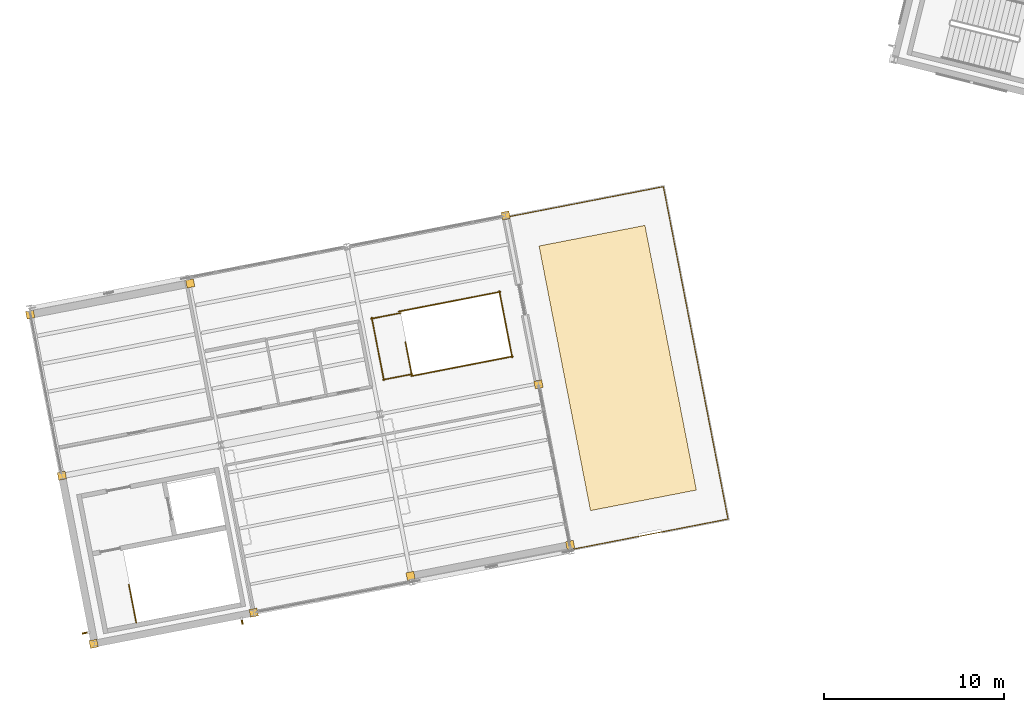
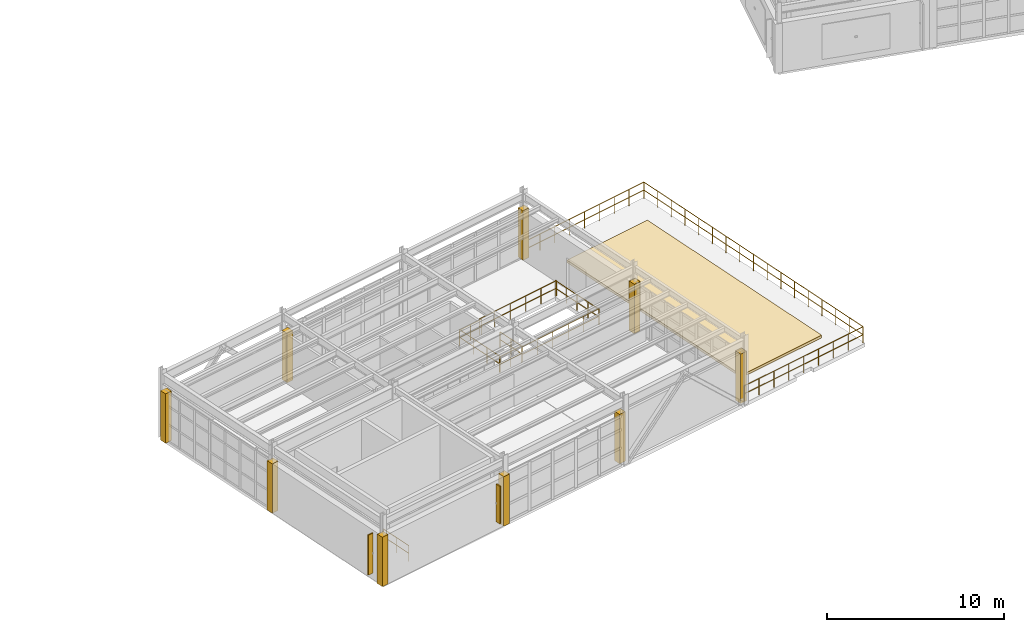
# One storey, part 96 of 102: 10 coverings, 9 railings, 2 shading devices.
"""IFC4 building model written with IfcOpenShell, lengths in metres."""

from ifc_helpers import new_model, si_unit, direction, frame, origin, origin_2d, place, context, subcontext, project, spatial, polyline, rectangle, circle, outline, extrude, material, layer, layer_set, type_object, element, save


model = new_model("IFC4")

# Units and contexts
model_context = context("Model", 3, precision=1e-05, world=origin(), true_north=direction((0.0, 1.0)))
body_context = subcontext(model_context, "Body", "Model", "MODEL_VIEW")
ifc_project = project(units=[si_unit("LENGTHUNIT", "METRE"), si_unit("AREAUNIT", "SQUARE_METRE"), si_unit("VOLUMEUNIT", "CUBIC_METRE"), si_unit("PLANEANGLEUNIT", "RADIAN"), si_unit("MASSUNIT", "GRAM", prefix="KILO")], contexts=[model_context])

# Site, building, storey
site_placement = place(None, origin())
site = spatial("IfcSite", under=ifc_project, at=site_placement, CompositionType="ELEMENT")
building_placement = place(site_placement, origin())
building = spatial("IfcBuilding", under=site, at=building_placement, Name="Vireo Bluff Cable Station", CompositionType="ELEMENT")
storey_placement = place(building_placement, frame((0.0, 0.0, 9.60009765625)))
storey = spatial("IfcBuildingStorey", under=building, at=storey_placement, Name="L02", CompositionType="ELEMENT", Elevation=9.60009765625)

# Coverings
ifc_material_1 = material(Name="Precast concrete f'c 45 MPa", Category="concrete")
ifc_layer_1 = layer(ifc_material_1, 0.0400390625, Name="Precast concrete f'c 45 MPa")
ifc_layer_set_1 = layer_set([ifc_layer_1], Name="Precast concrete f'c 45 MPa")
covering_type_1 = type_object("IfcCoveringType", Name="COL-CLOSURE-WRAP", PredefinedType="CLADDING", material=ifc_layer_set_1)
for number, where, z_axis, x_axis, name in (
    (1, (35.962158203125, 10.989990234375, 0.0), (0.0, 0.0, 1.0), (0.981627183448, 0.190808995377, 0.0), "V5 L02 column pocket closure"),
    (2, (27.083251953125, 9.26416015625, 0.0), (0.0, 0.0, 1.0), (0.981627183448, 0.190808995377, 0.0), "V5 L02 column pocket closure"),
    (3, (18.357666015625, 7.2216796875, 0.0), (0.0, 0.0, 1.0), (0.981627183448, 0.190808995377, 0.0), "V5 L02 column pocket closure"),
    (4, (9.451416015625, 5.490478515625, 0.0), (0.0, 0.0, 1.0), (0.981627183448, 0.190808995377, 0.0), "V5 L02 column pocket closure"),
    (5, (7.68408203125, 14.841552734375, 0.0), (0.0, 0.0, 1.0), (0.981627183448, 0.190808995377, 0.0), "V5 L02 column pocket closure"),
    (6, (5.91845703125, 23.81298828125, 0.0), (0.0, 0.0, 1.0), (0.981627183448, 0.190808995377, 0.0), "V5 L02 column pocket closure"),
    (7, (14.82373046875, 25.544189453125, 0.0), (0.0, 0.0, 1.0), (0.981627183448, 0.190808995377, 0.0), "V5 L02 column pocket closure"),
    (8, (32.37548828125, 29.31884765625, 0.0), (0.0, 0.0, 1.0), (0.981627183448, 0.190808995377, 0.0), "V5 L02 column pocket closure"),
    (9, (34.199951171875, 19.93212890625, 0.0), (0.0, 0.0, 1.0), (0.981627183448, 0.190808995377, 0.0), "V5 L02 column pocket closure"),
):
    element("IfcCovering", number, at=place(storey_placement, frame(where, z_axis=z_axis, x_axis=x_axis)), inside=storey, type_object=covering_type_1, Name=name, PredefinedType="CLADDING", context=body_context, shape_type="SweptSolid", body=[
        extrude(rectangle(XDim=0.43994140625, YDim=0.43994140625, at=origin_2d()), origin(), (0.0, 0.0, 1.0), 3.39990234375),
    ])

# Railing
ifc_material_2 = material(Name="Stainless Steel 316", Category="steel")
railing_type_1 = type_object("IfcRailingType", Name="EXTGUARD-1150", PredefinedType="GUARDRAIL", material=ifc_material_2)
railing_1_placement = place(storey_placement, frame((36.02783203125, 10.738037109375, 0.0)))
element("IfcRailing", 10, at=railing_1_placement, inside=storey, type_object=railing_type_1, Name="V5 L02 outdoor terrace guard 4", PredefinedType="GUARDRAIL", context=body_context, shape_type="SweptSolid", body=[
    extrude(circle(Radius=0.02392578125, at=origin_2d()), frame((0.0, 0.0, 1.1259765625), z_axis=(0.981628980254, 0.190799751378, 0.0), x_axis=(-0.190799751378, 0.981628980254, 0.0)), (0.0, 0.0, 1.0), 8.880126953125),
    extrude(circle(Radius=0.02392578125, at=origin_2d()), frame((0.0, 0.0, 0.574951171875), z_axis=(0.981628980254, 0.190799751378, 0.0), x_axis=(-0.190799751378, 0.981628980254, 0.0)), (0.0, 0.0, 1.0), 8.880126953125),
    extrude(circle(Radius=0.02392578125, at=origin_2d()), frame((8.717041015625, 1.6943359375, 1.1259765625), z_axis=(-0.190815203836, 0.981625976625, 0.0), x_axis=(-0.981625976625, -0.190815203836, 0.0)), (0.0, 0.0, 1.0), 18.840087890625),
    extrude(circle(Radius=0.02392578125, at=origin_2d()), frame((8.717041015625, 1.6943359375, 0.574951171875), z_axis=(-0.190815203836, 0.981625976625, 0.0), x_axis=(-0.981625976625, -0.190815203836, 0.0)), (0.0, 0.0, 1.0), 18.840087890625),
    extrude(circle(Radius=0.02392578125, at=origin_2d()), frame((5.1220703125, 20.188232421875, 1.1259765625), z_axis=(-0.981627979352, -0.190804900759, 0.0), x_axis=(0.190804900759, -0.981627979352, 0.0)), (0.0, 0.0, 1.0), 8.8798828125),
    extrude(circle(Radius=0.02392578125, at=origin_2d()), frame((5.1220703125, 20.188232421875, 0.574951171875), z_axis=(-0.981627979352, -0.190804900759, 0.0), x_axis=(0.190804900759, -0.981627979352, 0.0)), (0.0, 0.0, 1.0), 8.8798828125),
    extrude(circle(Radius=0.02099609375, at=origin_2d()), origin(), (0.0, 0.0, 1.0), 1.101806640625),
    extrude(circle(Radius=0.02099609375, at=origin_2d()), frame((1.089599609375, 0.2119140625, 0.0)), (0.0, 0.0, 1.0), 1.101806640625),
    extrude(circle(Radius=0.02099609375, at=origin_2d()), frame((2.17919921875, 0.423583984375, 0.0)), (0.0, 0.0, 1.0), 1.101806640625),
    extrude(circle(Radius=0.02099609375, at=origin_2d()), frame((3.268798828125, 0.63525390625, 0.0)), (0.0, 0.0, 1.0), 1.101806640625),
    extrude(circle(Radius=0.02099609375, at=origin_2d()), frame((4.3583984375, 0.84716796875, 0.0)), (0.0, 0.0, 1.0), 1.101806640625),
    extrude(circle(Radius=0.02099609375, at=origin_2d()), frame((5.4482421875, 1.05908203125, 0.0)), (0.0, 0.0, 1.0), 1.101806640625),
    extrude(circle(Radius=0.02099609375, at=origin_2d()), frame((6.537841796875, 1.270751953125, 0.0)), (0.0, 0.0, 1.0), 1.101806640625),
    extrude(circle(Radius=0.02099609375, at=origin_2d()), frame((7.62744140625, 1.482421875, 0.0)), (0.0, 0.0, 1.0), 1.101806640625),
    extrude(circle(Radius=0.02099609375, at=origin_2d()), frame((8.717041015625, 1.6943359375, 0.0)), (0.0, 0.0, 1.0), 1.101806640625),
    extrude(circle(Radius=0.02099609375, at=origin_2d()), frame((8.492431640625, 2.85009765625, 0.0)), (0.0, 0.0, 1.0), 1.101806640625),
    extrude(circle(Radius=0.02099609375, at=origin_2d()), frame((8.267578125, 4.006103515625, 0.0)), (0.0, 0.0, 1.0), 1.101806640625),
    extrude(circle(Radius=0.02099609375, at=origin_2d()), frame((8.04296875, 5.161865234375, 0.0)), (0.0, 0.0, 1.0), 1.101806640625),
    extrude(circle(Radius=0.02099609375, at=origin_2d()), frame((7.818359375, 6.31787109375, 0.0)), (0.0, 0.0, 1.0), 1.101806640625),
    extrude(circle(Radius=0.02099609375, at=origin_2d()), frame((7.593505859375, 7.4736328125, 0.0)), (0.0, 0.0, 1.0), 1.101806640625),
    extrude(circle(Radius=0.02099609375, at=origin_2d()), frame((7.368896484375, 8.629638671875, 0.0)), (0.0, 0.0, 1.0), 1.101806640625),
    extrude(circle(Radius=0.02099609375, at=origin_2d()), frame((7.144287109375, 9.785400390625, 0.0)), (0.0, 0.0, 1.0), 1.101806640625),
    extrude(circle(Radius=0.02099609375, at=origin_2d()), frame((6.91943359375, 10.94140625, 0.0)), (0.0, 0.0, 1.0), 1.101806640625),
    extrude(circle(Radius=0.02099609375, at=origin_2d()), frame((6.69482421875, 12.09716796875, 0.0)), (0.0, 0.0, 1.0), 1.101806640625),
    extrude(circle(Radius=0.02099609375, at=origin_2d()), frame((6.47021484375, 13.2529296875, 0.0)), (0.0, 0.0, 1.0), 1.101806640625),
    extrude(circle(Radius=0.02099609375, at=origin_2d()), frame((6.24560546875, 14.408935546875, 0.0)), (0.0, 0.0, 1.0), 1.101806640625),
    extrude(circle(Radius=0.02099609375, at=origin_2d()), frame((6.020751953125, 15.564697265625, 0.0)), (0.0, 0.0, 1.0), 1.101806640625),
    extrude(circle(Radius=0.02099609375, at=origin_2d()), frame((5.796142578125, 16.720703125, 0.0)), (0.0, 0.0, 1.0), 1.101806640625),
    extrude(circle(Radius=0.02099609375, at=origin_2d()), frame((5.571533203125, 17.87646484375, 0.0)), (0.0, 0.0, 1.0), 1.101806640625),
    extrude(circle(Radius=0.02099609375, at=origin_2d()), frame((5.3466796875, 19.032470703125, 0.0)), (0.0, 0.0, 1.0), 1.101806640625),
    extrude(circle(Radius=0.02099609375, at=origin_2d()), frame((5.1220703125, 20.188232421875, 0.0)), (0.0, 0.0, 1.0), 1.101806640625),
    extrude(circle(Radius=0.02099609375, at=origin_2d()), frame((4.032470703125, 19.9765625, 0.0)), (0.0, 0.0, 1.0), 1.101806640625),
    extrude(circle(Radius=0.02099609375, at=origin_2d()), frame((2.94287109375, 19.7646484375, 0.0)), (0.0, 0.0, 1.0), 1.101806640625),
    extrude(circle(Radius=0.02099609375, at=origin_2d()), frame((1.853271484375, 19.552734375, 0.0)), (0.0, 0.0, 1.0), 1.101806640625),
    extrude(circle(Radius=0.02099609375, at=origin_2d()), frame((0.763671875, 19.341064453125, 0.0)), (0.0, 0.0, 1.0), 1.101806640625),
    extrude(circle(Radius=0.02099609375, at=origin_2d()), frame((-0.325927734375, 19.12939453125, 0.0)), (0.0, 0.0, 1.0), 1.101806640625),
    extrude(circle(Radius=0.02099609375, at=origin_2d()), frame((-1.41552734375, 18.91748046875, 0.0)), (0.0, 0.0, 1.0), 1.101806640625),
    extrude(circle(Radius=0.02099609375, at=origin_2d()), frame((-2.505126953125, 18.70556640625, 0.0)), (0.0, 0.0, 1.0), 1.101806640625),
    extrude(circle(Radius=0.02099609375, at=origin_2d()), frame((-3.5947265625, 18.493896484375, 0.0)), (0.0, 0.0, 1.0), 1.101806640625),
])

# Covering
ifc_material_3 = material(Name="Vegetated Green Roof Assembly")
ifc_layer_2 = layer(ifc_material_3, 0.179931640625, Name="Vegetated Green Roof Assembly")
ifc_layer_set_2 = layer_set([ifc_layer_2], Name="Vegetated Green Roof Assembly")
covering_type_2 = type_object("IfcCoveringType", Name="ROOFING-GREEN-180", PredefinedType="ROOFING", material=ifc_layer_set_2)
covering_placement = place(storey_placement, origin())
element("IfcCovering", 11, at=covering_placement, inside=storey, type_object=covering_type_2, Name="V5 L02 vegetated green roof bed 3", PredefinedType="ROOFING", context=body_context, shape_type="SweptSolid", body=[
    extrude(outline(polyline([(37.0947265625, 12.9013671875), (42.984619140625, 14.046142578125), (40.122314453125, 28.7705078125), (34.232666015625, 27.625732421875), (37.0947265625, 12.9013671875)])), origin(), (0.0, 0.0, 1.0), 0.179931640625),
])

# Shading devices
ifc_material_4 = material(Name="Extruded Terracotta Solar Fin", Category="masonry")
shading_device_type_1 = type_object("IfcShadingDeviceType", Name="SOLARFIN-320X2600", PredefinedType="SHUTTER", material=ifc_material_4)
shading_device_1_placement = place(storey_placement, frame((17.708740234375, 6.73388671875, 0.5498046875), z_axis=(0.0, 0.0, 1.0), x_axis=(-0.981627201611, -0.190808901935, 0.0)))
element("IfcShadingDevice", 12, at=shading_device_1_placement, inside=storey, type_object=shading_device_type_1, Name="V5 L02 solar brise-soleil fin 36", PredefinedType="SHUTTER", context=body_context, shape_type="SweptSolid", body=[
    extrude(rectangle(XDim=0.080078125, YDim=0.320068359375, at=origin_2d()), origin(), (0.0, 0.0, 1.0), 2.60009765625),
])
shading_device_type_2 = type_object("IfcShadingDeviceType", Name="SOLARFIN-360X2750", PredefinedType="SHUTTER", material=ifc_material_4)
shading_device_2_placement = place(storey_placement, frame((8.99658203125, 6.098876953125, 0.474853515625), z_axis=(0.0, 0.0, 1.0), x_axis=(-0.190809021589, 0.981627178352, 0.0)))
element("IfcShadingDevice", 13, at=shading_device_2_placement, inside=storey, type_object=shading_device_type_2, Name="V5 L02 solar brise-soleil fin 37", PredefinedType="SHUTTER", context=body_context, shape_type="SweptSolid", body=[
    extrude(rectangle(XDim=0.080078125, YDim=0.360107421875, at=origin_2d()), origin(), (0.0, 0.0, 1.0), 2.75),
])

# Railings
railing_type_2 = type_object("IfcRailingType", Name="STAIR-GUARD-1100", PredefinedType="GUARDRAIL", material=ifc_material_2)
railing_2_placement = place(storey_placement, frame((11.820556640625, 6.6640625, 0.0)))
element("IfcRailing", 14, at=railing_2_placement, inside=storey, type_object=railing_type_2, Name="L02 ST-05 top well guard 1", PredefinedType="GUARDRAIL", context=body_context, shape_type="SweptSolid", body=[
    extrude(circle(Radius=0.02392578125, at=origin_2d()), frame((0.0, 0.0, 1.076171875), z_axis=(-0.190872698281, 0.981614798712, 0.0), x_axis=(-0.981614798712, -0.190872698281, 0.0)), (0.0, 0.0, 1.0), 2.150146484375),
    extrude(circle(Radius=0.02392578125, at=origin_2d()), frame((0.0, 0.0, 0.550048828125), z_axis=(-0.190872698281, 0.981614798712, 0.0), x_axis=(-0.981614798712, -0.190872698281, 0.0)), (0.0, 0.0, 1.0), 2.150146484375),
    extrude(circle(Radius=0.02099609375, at=origin_2d()), origin(), (0.0, 0.0, 1.0), 1.052001953125),
    extrude(circle(Radius=0.02099609375, at=origin_2d()), frame((-0.205078125, 1.05517578125, 0.0)), (0.0, 0.0, 1.0), 1.052001953125),
    extrude(circle(Radius=0.02099609375, at=origin_2d()), frame((-0.410400390625, 2.110595703125, 0.0)), (0.0, 0.0, 1.0), 1.052001953125),
])
railing_3_placement = place(storey_placement, frame((27.153076171875, 20.44287109375, 0.0)))
element("IfcRailing", 15, at=railing_3_placement, inside=storey, type_object=railing_type_2, Name="L02 ST-07 top well guard 1", PredefinedType="GUARDRAIL", context=body_context, shape_type="SweptSolid", body=[
    extrude(circle(Radius=0.02392578125, at=origin_2d()), frame((0.0, 0.0, 1.076171875), z_axis=(-0.190768857315, 0.981634984645, 0.0), x_axis=(-0.981634984645, -0.190768857315, 0.0)), (0.0, 0.0, 1.0), 1.8798828125),
    extrude(circle(Radius=0.02392578125, at=origin_2d()), frame((0.0, 0.0, 0.550048828125), z_axis=(-0.190768857315, 0.981634984645, 0.0), x_axis=(-0.981634984645, -0.190768857315, 0.0)), (0.0, 0.0, 1.0), 1.8798828125),
    extrude(circle(Radius=0.02099609375, at=origin_2d()), origin(), (0.0, 0.0, 1.0), 1.052001953125),
    extrude(circle(Radius=0.02099609375, at=origin_2d()), frame((-0.17919921875, 0.9228515625, 0.0)), (0.0, 0.0, 1.0), 1.052001953125),
    extrude(circle(Radius=0.02099609375, at=origin_2d()), frame((-0.358642578125, 1.845458984375, 0.0)), (0.0, 0.0, 1.0), 1.052001953125),
])
railing_4_placement = place(storey_placement, frame((27.113525390625, 20.38427734375, 0.0)))
element("IfcRailing", 16, at=railing_4_placement, inside=storey, type_object=railing_type_2, Name="L02 ST-07 top well guard 2", PredefinedType="GUARDRAIL", context=body_context, shape_type="SweptSolid", body=[
    extrude(circle(Radius=0.02392578125, at=origin_2d()), frame((0.0, 0.0, 1.076171875), z_axis=(0.981624196942, 0.190824358974, 0.0), x_axis=(-0.190824358974, 0.981624196942, 0.0)), (0.0, 0.0, 1.0), 5.77001953125),
    extrude(circle(Radius=0.02392578125, at=origin_2d()), frame((0.0, 0.0, 0.550048828125), z_axis=(0.981624196942, 0.190824358974, 0.0), x_axis=(-0.190824358974, 0.981624196942, 0.0)), (0.0, 0.0, 1.0), 5.77001953125),
    extrude(circle(Radius=0.02099609375, at=origin_2d()), origin(), (0.0, 0.0, 1.0), 1.052001953125),
    extrude(circle(Radius=0.02099609375, at=origin_2d()), frame((1.1328125, 0.22021484375, 0.0)), (0.0, 0.0, 1.0), 1.052001953125),
    extrude(circle(Radius=0.02099609375, at=origin_2d()), frame((2.265625, 0.4404296875, 0.0)), (0.0, 0.0, 1.0), 1.052001953125),
    extrude(circle(Radius=0.02099609375, at=origin_2d()), frame((3.3984375, 0.66064453125, 0.0)), (0.0, 0.0, 1.0), 1.052001953125),
    extrude(circle(Radius=0.02099609375, at=origin_2d()), frame((4.53125, 0.880859375, 0.0)), (0.0, 0.0, 1.0), 1.052001953125),
    extrude(circle(Radius=0.02099609375, at=origin_2d()), frame((5.6640625, 1.10107421875, 0.0)), (0.0, 0.0, 1.0), 1.052001953125),
])
railing_5_placement = place(storey_placement, frame((26.415283203125, 23.97705078125, 0.0)))
element("IfcRailing", 17, at=railing_5_placement, inside=storey, type_object=railing_type_2, Name="L02 ST-07 top well guard 3", PredefinedType="GUARDRAIL", context=body_context, shape_type="SweptSolid", body=[
    extrude(circle(Radius=0.02392578125, at=origin_2d()), frame((0.0, 0.0, 1.076171875), z_axis=(0.981622656122, 0.190832284974, 0.0), x_axis=(-0.190832284974, 0.981622656122, 0.0)), (0.0, 0.0, 1.0), 5.769775390625),
    extrude(circle(Radius=0.02392578125, at=origin_2d()), frame((0.0, 0.0, 0.550048828125), z_axis=(0.981622656122, 0.190832284974, 0.0), x_axis=(-0.190832284974, 0.981622656122, 0.0)), (0.0, 0.0, 1.0), 5.769775390625),
    extrude(circle(Radius=0.02099609375, at=origin_2d()), origin(), (0.0, 0.0, 1.0), 1.052001953125),
    extrude(circle(Radius=0.02099609375, at=origin_2d()), frame((1.1328125, 0.22021484375, 0.0)), (0.0, 0.0, 1.0), 1.052001953125),
    extrude(circle(Radius=0.02099609375, at=origin_2d()), frame((2.265625, 0.4404296875, 0.0)), (0.0, 0.0, 1.0), 1.052001953125),
    extrude(circle(Radius=0.02099609375, at=origin_2d()), frame((3.398193359375, 0.66064453125, 0.0)), (0.0, 0.0, 1.0), 1.052001953125),
    extrude(circle(Radius=0.02099609375, at=origin_2d()), frame((4.531005859375, 0.880859375, 0.0)), (0.0, 0.0, 1.0), 1.052001953125),
    extrude(circle(Radius=0.02099609375, at=origin_2d()), frame((5.663818359375, 1.10107421875, 0.0)), (0.0, 0.0, 1.0), 1.052001953125),
])
railing_6_placement = place(storey_placement, frame((32.738037109375, 21.4267578125, 0.0)))
element("IfcRailing", 18, at=railing_6_placement, inside=storey, type_object=railing_type_2, Name="L02 ST-07 top well guard 4", PredefinedType="GUARDRAIL", context=body_context, shape_type="SweptSolid", body=[
    extrude(circle(Radius=0.02392578125, at=origin_2d()), frame((0.0, 0.0, 1.076171875), z_axis=(-0.190831424652, 0.981622823372, 0.0), x_axis=(-0.981622823372, -0.190831424652, 0.0)), (0.0, 0.0, 1.0), 3.760009765625),
    extrude(circle(Radius=0.02392578125, at=origin_2d()), frame((0.0, 0.0, 0.550048828125), z_axis=(-0.190831424652, 0.981622823372, 0.0), x_axis=(-0.981622823372, -0.190831424652, 0.0)), (0.0, 0.0, 1.0), 3.760009765625),
    extrude(circle(Radius=0.02099609375, at=origin_2d()), origin(), (0.0, 0.0, 1.0), 1.052001953125),
    extrude(circle(Radius=0.02099609375, at=origin_2d()), frame((-0.179443359375, 0.9228515625, 0.0)), (0.0, 0.0, 1.0), 1.052001953125),
    extrude(circle(Radius=0.02099609375, at=origin_2d()), frame((-0.35888671875, 1.845458984375, 0.0)), (0.0, 0.0, 1.0), 1.052001953125),
    extrude(circle(Radius=0.02099609375, at=origin_2d()), frame((-0.5380859375, 2.76806640625, 0.0)), (0.0, 0.0, 1.0), 1.052001953125),
    extrude(circle(Radius=0.02099609375, at=origin_2d()), frame((-0.717529296875, 3.69091796875, 0.0)), (0.0, 0.0, 1.0), 1.052001953125),
])
for number, where, name in (
    (19, (25.54345703125, 20.180908203125, 0.0), "L02 ST-07 top well guard 5"),
    (20, (24.88330078125, 23.577392578125, 0.0), "L02 ST-07 top well guard 6"),
):
    element("IfcRailing", number, at=place(storey_placement, frame(where)), inside=storey, type_object=railing_type_2, Name=name, PredefinedType="GUARDRAIL", context=body_context, shape_type="SweptSolid", body=[
        extrude(circle(Radius=0.02392578125, at=origin_2d()), frame((0.0, 0.0, 1.076171875), z_axis=(0.981628244641, 0.190803535931, 0.0), x_axis=(-0.190803535931, 0.981628244641, 0.0)), (0.0, 0.0, 1.0), 1.679931640625),
        extrude(circle(Radius=0.02392578125, at=origin_2d()), frame((0.0, 0.0, 0.550048828125), z_axis=(0.981628244641, 0.190803535931, 0.0), x_axis=(-0.190803535931, 0.981628244641, 0.0)), (0.0, 0.0, 1.0), 1.679931640625),
        extrude(circle(Radius=0.02099609375, at=origin_2d()), origin(), (0.0, 0.0, 1.0), 1.052001953125),
        extrude(circle(Radius=0.02099609375, at=origin_2d()), frame((0.82470703125, 0.16015625, 0.0)), (0.0, 0.0, 1.0), 1.052001953125),
        extrude(circle(Radius=0.02099609375, at=origin_2d()), frame((1.649169921875, 0.320556640625, 0.0)), (0.0, 0.0, 1.0), 1.052001953125),
    ])
railing_7_placement = place(storey_placement, frame((25.60205078125, 20.141357421875, 0.0)))
element("IfcRailing", 21, at=railing_7_placement, inside=storey, type_object=railing_type_2, Name="L02 ST-07 top well guard 7", PredefinedType="GUARDRAIL", context=body_context, shape_type="SweptSolid", body=[
    extrude(circle(Radius=0.02392578125, at=origin_2d()), frame((0.0, 0.0, 1.076171875), z_axis=(-0.190785222784, 0.981631804073, 0.0), x_axis=(-0.981631804073, -0.190785222784, 0.0)), (0.0, 0.0, 1.0), 3.56005859375),
    extrude(circle(Radius=0.02392578125, at=origin_2d()), frame((0.0, 0.0, 0.550048828125), z_axis=(-0.190785222784, 0.981631804073, 0.0), x_axis=(-0.981631804073, -0.190785222784, 0.0)), (0.0, 0.0, 1.0), 3.56005859375),
    extrude(circle(Radius=0.02099609375, at=origin_2d()), origin(), (0.0, 0.0, 1.0), 1.052001953125),
    extrude(circle(Radius=0.02099609375, at=origin_2d()), frame((-0.226318359375, 1.164794921875, 0.0)), (0.0, 0.0, 1.0), 1.052001953125),
    extrude(circle(Radius=0.02099609375, at=origin_2d()), frame((-0.452880859375, 2.329833984375, 0.0)), (0.0, 0.0, 1.0), 1.052001953125),
    extrude(circle(Radius=0.02099609375, at=origin_2d()), frame((-0.67919921875, 3.49462890625, 0.0)), (0.0, 0.0, 1.0), 1.052001953125),
])

save(model, "model.ifc")
